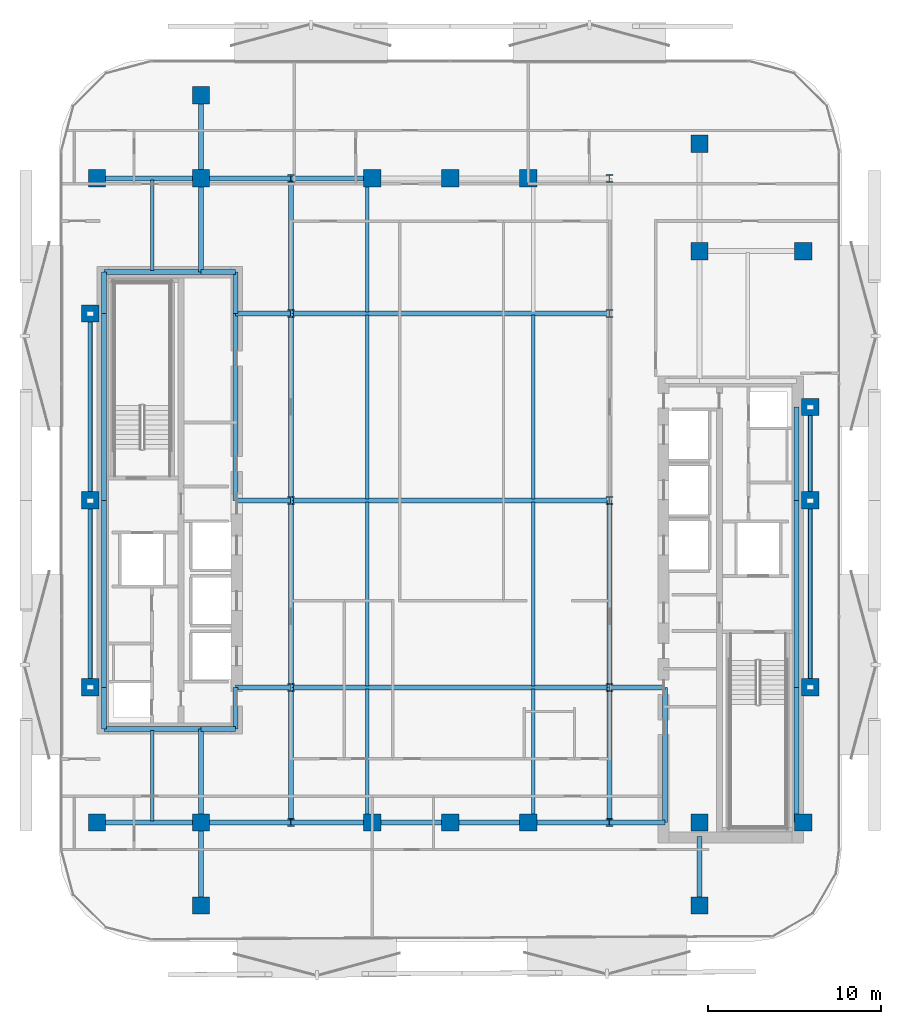
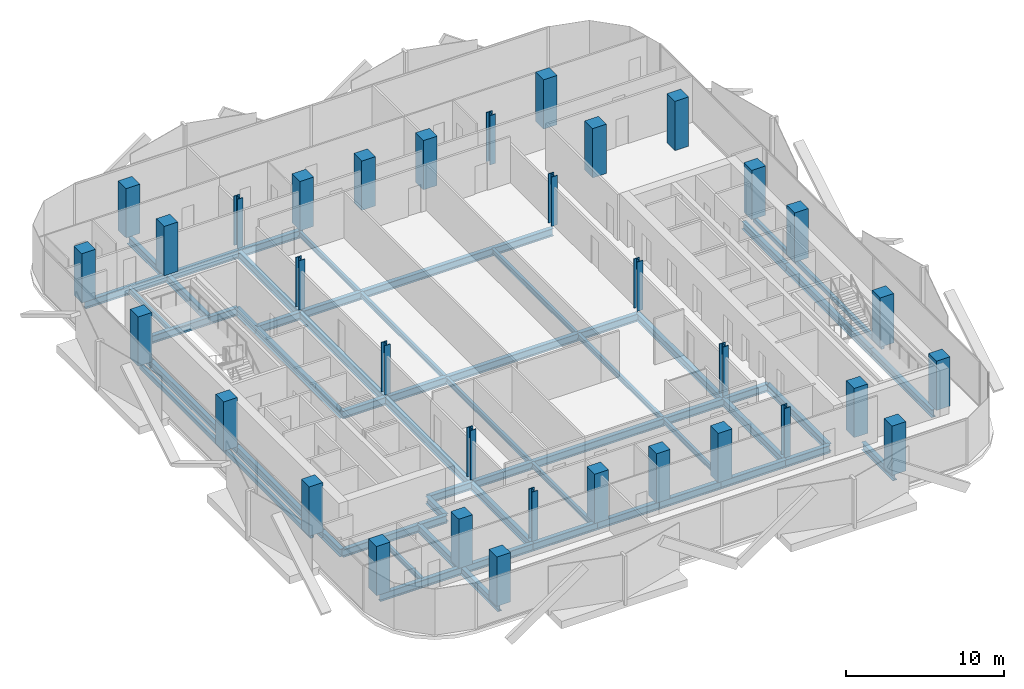
# One storey, part 1 of 16: 56 beams, 34 columns.
"""IFC4 building model written with IfcOpenShell, lengths in metres."""

from ifc_helpers import new_model, si_unit, direction, frame, origin, origin_2d, place, context, subcontext, project, spatial, rectangle, hollow_rectangle, i_section, extrude, material, material_profile, profile_set, type_object, element, save


model = new_model("IFC4")

# Units and contexts
model_context = context("Model", 3, precision=1e-05, world=origin(), true_north=direction((0.0, 1.0)))
body_context = subcontext(model_context, "Body", "Model", "MODEL_VIEW")
ifc_project = project(units=[si_unit("LENGTHUNIT", "METRE"), si_unit("AREAUNIT", "SQUARE_METRE"), si_unit("VOLUMEUNIT", "CUBIC_METRE"), si_unit("PLANEANGLEUNIT", "RADIAN"), si_unit("MASSUNIT", "GRAM", prefix="KILO")], contexts=[model_context])

# Site, building, storey
site_placement = place(None, origin())
site = spatial("IfcSite", under=ifc_project, at=site_placement, CompositionType="ELEMENT")
building_placement = place(site_placement, origin())
building = spatial("IfcBuilding", under=site, at=building_placement, Name="Khairoan Windgate Tower", CompositionType="ELEMENT")
storey_placement = place(building_placement, frame((0.0, 0.0, 184.0)))
storey = spatial("IfcBuildingStorey", under=building, at=storey_placement, Name="L42", CompositionType="ELEMENT", Elevation=184.0)

# Columns
ifc_material_1 = material(Name="Concrete C50/60", Category="concrete")
ifc_material_profile_1 = material_profile(ifc_material_1, rectangle(XDim=1.0, YDim=1.0, at=origin_2d()))
ifc_profile_set_1 = profile_set([ifc_material_profile_1], Name="Concrete C50/60")
column_type_1 = type_object("IfcColumnType", Name="Column C-T4 RC1000x1000", PredefinedType="COLUMN", material=ifc_profile_set_1)
for number, where, z_axis, x_axis, name in (
    (1, (-20.39990234375, -18.60009765625, 0.0), (0.0, 0.0, 1.0), (1.0, 0.0, 0.0), "Column L42-11"),
    (2, (-20.39990234375, 18.60009765625, 0.0), (0.0, 0.0, 1.0), (1.0, 0.0, 0.0), "Column L42-12"),
    (3, (20.39990234375, -18.60009765625, 0.0), (0.0, 0.0, 1.0), (1.0, 0.0, 0.0), "Column L42-13"),
    (4, (20.39990234375, 14.39990234375, 0.0), (0.0, 0.0, 1.0), (1.0, 0.0, 0.0), "Column L42-14"),
    (5, (-14.39990234375, -18.60009765625, 0.0), (0.0, 0.0, 1.0), (1.0, 0.0, 0.0), "Column L42-15"),
    (6, (-14.39990234375, 18.60009765625, 0.0), (0.0, 0.0, 1.0), (1.0, 0.0, 0.0), "Column L42-16"),
    (7, (14.39990234375, -18.60009765625, 0.0), (0.0, 0.0, 1.0), (1.0, 0.0, 0.0), "Column L42-17"),
    (8, (14.39990234375, 14.39990234375, 0.0), (0.0, 0.0, 1.0), (1.0, 0.0, 0.0), "Column L42-18"),
    (9, (-4.5, -18.60009765625, 0.0), (0.0, 0.0, 1.0), (1.0, 0.0, 0.0), "Column L42-19"),
    (10, (0.0, -18.60009765625, 0.0), (0.0, 0.0, 1.0), (1.0, 0.0, 0.0), "Column L42-20"),
    (11, (4.5, -18.60009765625, 0.0), (0.0, 0.0, 1.0), (1.0, 0.0, 0.0), "Column L42-21"),
    (12, (-4.5, 18.60009765625, 0.0), (0.0, 0.0, 1.0), (1.0, 0.0, 0.0), "Column L42-22"),
    (13, (0.0, 18.60009765625, 0.0), (0.0, 0.0, 1.0), (1.0, 0.0, 0.0), "Column L42-23"),
    (14, (4.5, 18.60009765625, 0.0), (0.0, 0.0, 1.0), (1.0, 0.0, 0.0), "Column L42-24"),
    (15, (-20.800048828125, -10.800048828125, 0.0), (0.0, 0.0, 1.0), (1.0, 0.0, 0.0), "Column L42-25"),
    (16, (-20.800048828125, 0.0, 0.0), (0.0, 0.0, 1.0), (1.0, 0.0, 0.0), "Column L42-26"),
    (17, (-20.800048828125, 10.800048828125, 0.0), (0.0, 0.0, 1.0), (1.0, 0.0, 0.0), "Column L42-27"),
    (18, (20.800048828125, -10.800048828125, 0.0), (0.0, 0.0, 1.0), (1.0, 0.0, 0.0), "Column L42-28"),
    (19, (20.800048828125, 0.0, 0.0), (0.0, 0.0, 1.0), (1.0, 0.0, 0.0), "Column L42-29"),
    (20, (20.800048828125, 5.39990234375, 0.0), (0.0, 0.0, 1.0), (1.0, 0.0, 0.0), "Column L42-30"),
    (21, (-14.39990234375, -23.39990234375, 0.0), (0.0, 0.0, 1.0), (1.0, 0.0, 0.0), "Column L42-31"),
    (22, (-14.39990234375, 23.39990234375, 0.0), (0.0, 0.0, 1.0), (1.0, 0.0, 0.0), "Column L42-32"),
    (23, (14.39990234375, -23.39990234375, 0.0), (0.0, 0.0, 1.0), (1.0, 0.0, 0.0), "Column L42-33"),
    (24, (14.39990234375, 20.60009765625, 0.0), (0.0, 0.0, 1.0), (1.0, 0.0, 0.0), "Column L42-34"),
):
    element("IfcColumn", number, at=place(storey_placement, frame(where, z_axis=z_axis, x_axis=x_axis)), inside=storey, type_object=column_type_1, Name=name, PredefinedType="COLUMN", context=body_context, shape_type="SweptSolid", body=[
        extrude(rectangle(XDim=1.0, YDim=1.0, at=origin_2d()), origin(), (0.0, 0.0, 1.0), 3.800048828125),
    ])
ifc_material_2 = material(Name="Steel S355", Category="steel")
ifc_material_profile_2 = material_profile(ifc_material_2, i_section(OverallWidth=0.4169921875, OverallDepth=0.4580078125, WebThickness=0.030029296875, FlangeThickness=0.050048828125, FilletRadius=0.02197265625, at=origin_2d()))
ifc_profile_set_2 = profile_set([ifc_material_profile_2], Name="Steel S355")
column_type_2 = type_object("IfcColumnType", Name="Steel Column SC2 H458x417x30x50", PredefinedType="COLUMN", material=ifc_profile_set_2)
for number, where, z_axis, x_axis, name in (
    (25, (-9.199951171875, -18.60009765625, 0.0), (0.0, 0.0, 1.0), (1.0, 0.0, 0.0), "Column L42-01"),
    (26, (-9.199951171875, -10.800048828125, 0.0), (0.0, 0.0, 1.0), (1.0, 0.0, 0.0), "Column L42-02"),
    (27, (-9.199951171875, 0.0, 0.0), (0.0, 0.0, 1.0), (1.0, 0.0, 0.0), "Column L42-03"),
    (28, (-9.199951171875, 10.800048828125, 0.0), (0.0, 0.0, 1.0), (1.0, 0.0, 0.0), "Column L42-04"),
    (29, (-9.199951171875, 18.60009765625, 0.0), (0.0, 0.0, 1.0), (1.0, 0.0, 0.0), "Column L42-05"),
    (30, (9.199951171875, -18.60009765625, 0.0), (0.0, 0.0, 1.0), (1.0, 0.0, 0.0), "Column L42-06"),
    (31, (9.199951171875, -10.800048828125, 0.0), (0.0, 0.0, 1.0), (1.0, 0.0, 0.0), "Column L42-07"),
    (32, (9.199951171875, 0.0, 0.0), (0.0, 0.0, 1.0), (1.0, 0.0, 0.0), "Column L42-08"),
    (33, (9.199951171875, 10.800048828125, 0.0), (0.0, 0.0, 1.0), (1.0, 0.0, 0.0), "Column L42-09"),
    (34, (9.199951171875, 18.60009765625, 0.0), (0.0, 0.0, 1.0), (1.0, 0.0, 0.0), "Column L42-10"),
):
    element("IfcColumn", number, at=place(storey_placement, frame(where, z_axis=z_axis, x_axis=x_axis)), inside=storey, type_object=column_type_2, Name=name, PredefinedType="COLUMN", context=body_context, shape_type="SweptSolid", body=[
        extrude(i_section(OverallWidth=0.4169921875, OverallDepth=0.4580078125, WebThickness=0.030029296875, FlangeThickness=0.050048828125, FilletRadius=0.02197265625, at=origin_2d()), origin(), (0.0, 0.0, 1.0), 3.800048828125),
    ])

# Beams
ifc_material_3 = material(Name="Steel S355", Category="steel")
ifc_material_profile_3 = material_profile(ifc_material_3, i_section(OverallWidth=0.300048828125, OverallDepth=0.587890625, WebThickness=0.011962890625, FlangeThickness=0.02001953125, FilletRadius=0.02392578125, at=origin_2d()))
ifc_profile_set_3 = profile_set([ifc_material_profile_3], Name="Steel S355")
beam_type_1 = type_object("IfcBeamType", Name="Beam B-G4 H588x300x12x20", PredefinedType="BEAM", material=ifc_profile_set_3)
beam_1_placement = place(storey_placement, frame((-20.39990234375, -18.60009765625, -0.553955078125), z_axis=(1.0, 0.0, 0.0), x_axis=(0.0, 1.0, 0.0)))
element("IfcBeam", 35, at=beam_1_placement, inside=storey, type_object=beam_type_1, Name="L42 E-W Primary Girder 01", PredefinedType="BEAM", context=body_context, shape_type="SweptSolid", body=[
    extrude(i_section(OverallWidth=0.300048828125, OverallDepth=0.587890625, WebThickness=0.011962890625, FlangeThickness=0.02001953125, FilletRadius=0.02392578125, at=origin_2d()), origin(), (0.0, 0.0, 1.0), 6.0),
])
beam_2_placement = place(storey_placement, frame((-14.39990234375, -18.60009765625, -0.553955078125), z_axis=(1.0, 0.0, 0.0), x_axis=(0.0, 1.0, 0.0)))
element("IfcBeam", 36, at=beam_2_placement, inside=storey, type_object=beam_type_1, Name="L42 E-W Primary Girder 02", PredefinedType="BEAM", context=body_context, shape_type="SweptSolid", body=[
    extrude(i_section(OverallWidth=0.300048828125, OverallDepth=0.587890625, WebThickness=0.011962890625, FlangeThickness=0.02001953125, FilletRadius=0.02392578125, at=origin_2d()), origin(), (0.0, 0.0, 1.0), 5.199951171875),
])
beam_3_placement = place(storey_placement, frame((-9.199951171875, -18.60009765625, -0.553955078125), z_axis=(1.0, 0.0, 0.0), x_axis=(0.0, 1.0, 0.0)))
element("IfcBeam", 37, at=beam_3_placement, inside=storey, type_object=beam_type_1, Name="L42 E-W Primary Girder 03", PredefinedType="BEAM", context=body_context, shape_type="SweptSolid", body=[
    extrude(i_section(OverallWidth=0.300048828125, OverallDepth=0.587890625, WebThickness=0.011962890625, FlangeThickness=0.02001953125, FilletRadius=0.02392578125, at=origin_2d()), origin(), (0.0, 0.0, 1.0), 4.699951171875),
])
for number, where, z_axis, x_axis, name in (
    (38, (-4.5, -18.60009765625, -0.553955078125), (1.0, 0.0, 0.0), (0.0, 1.0, 0.0), "L42 E-W Primary Girder 04"),
    (39, (0.0, -18.60009765625, -0.553955078125), (1.0, 0.0, 0.0), (0.0, 1.0, 0.0), "L42 E-W Primary Girder 05"),
):
    element("IfcBeam", number, at=place(storey_placement, frame(where, z_axis=z_axis, x_axis=x_axis)), inside=storey, type_object=beam_type_1, Name=name, PredefinedType="BEAM", context=body_context, shape_type="SweptSolid", body=[
        extrude(i_section(OverallWidth=0.300048828125, OverallDepth=0.587890625, WebThickness=0.011962890625, FlangeThickness=0.02001953125, FilletRadius=0.02392578125, at=origin_2d()), origin(), (0.0, 0.0, 1.0), 4.5),
    ])
beam_4_placement = place(storey_placement, frame((4.5, -18.60009765625, -0.553955078125), z_axis=(1.0, 0.0, 0.0), x_axis=(0.0, 1.0, 0.0)))
element("IfcBeam", 40, at=beam_4_placement, inside=storey, type_object=beam_type_1, Name="L42 E-W Primary Girder 06", PredefinedType="BEAM", context=body_context, shape_type="SweptSolid", body=[
    extrude(i_section(OverallWidth=0.300048828125, OverallDepth=0.587890625, WebThickness=0.011962890625, FlangeThickness=0.02001953125, FilletRadius=0.02392578125, at=origin_2d()), origin(), (0.0, 0.0, 1.0), 4.699951171875),
])
beam_5_placement = place(storey_placement, frame((9.199951171875, -18.60009765625, -0.553955078125), z_axis=(1.0, 0.0, 0.0), x_axis=(0.0, 1.0, 0.0)))
element("IfcBeam", 41, at=beam_5_placement, inside=storey, type_object=beam_type_1, Name="L42 E-W Primary Girder 07", PredefinedType="BEAM", context=body_context, shape_type="SweptSolid", body=[
    extrude(i_section(OverallWidth=0.300048828125, OverallDepth=0.587890625, WebThickness=0.011962890625, FlangeThickness=0.02001953125, FilletRadius=0.02392578125, at=origin_2d()), origin(), (0.0, 0.0, 1.0), 3.199951171875),
])
beam_6_placement = place(storey_placement, frame((-20.0, -13.199951171875, -0.553955078125), z_axis=(1.0, 0.0, 0.0), x_axis=(0.0, 1.0, 0.0)))
element("IfcBeam", 42, at=beam_6_placement, inside=storey, type_object=beam_type_1, Name="L42 E-W Primary Girder 08", PredefinedType="BEAM", context=body_context, shape_type="SweptSolid", body=[
    extrude(i_section(OverallWidth=0.300048828125, OverallDepth=0.587890625, WebThickness=0.011962890625, FlangeThickness=0.02001953125, FilletRadius=0.02392578125, at=origin_2d()), origin(), (0.0, 0.0, 1.0), 5.60009765625),
])
beam_7_placement = place(storey_placement, frame((-14.39990234375, -13.199951171875, -0.553955078125), z_axis=(1.0, 0.0, 0.0), x_axis=(0.0, 1.0, 0.0)))
element("IfcBeam", 43, at=beam_7_placement, inside=storey, type_object=beam_type_1, Name="L42 E-W Primary Girder 09", PredefinedType="BEAM", context=body_context, shape_type="SweptSolid", body=[
    extrude(i_section(OverallWidth=0.300048828125, OverallDepth=0.587890625, WebThickness=0.011962890625, FlangeThickness=0.02001953125, FilletRadius=0.02392578125, at=origin_2d()), origin(), (0.0, 0.0, 1.0), 2.0),
])
beam_8_placement = place(storey_placement, frame((-12.39990234375, -10.800048828125, -0.553955078125), z_axis=(1.0, 0.0, 0.0), x_axis=(0.0, 1.0, 0.0)))
element("IfcBeam", 44, at=beam_8_placement, inside=storey, type_object=beam_type_1, Name="L42 E-W Primary Girder 10", PredefinedType="BEAM", context=body_context, shape_type="SweptSolid", body=[
    extrude(i_section(OverallWidth=0.300048828125, OverallDepth=0.587890625, WebThickness=0.011962890625, FlangeThickness=0.02001953125, FilletRadius=0.02392578125, at=origin_2d()), origin(), (0.0, 0.0, 1.0), 3.199951171875),
])
beam_9_placement = place(storey_placement, frame((-9.199951171875, -10.800048828125, -0.553955078125), z_axis=(1.0, 0.0, 0.0), x_axis=(0.0, 1.0, 0.0)))
element("IfcBeam", 45, at=beam_9_placement, inside=storey, type_object=beam_type_1, Name="L42 E-W Primary Girder 11", PredefinedType="BEAM", context=body_context, shape_type="SweptSolid", body=[
    extrude(i_section(OverallWidth=0.300048828125, OverallDepth=0.587890625, WebThickness=0.011962890625, FlangeThickness=0.02001953125, FilletRadius=0.02392578125, at=origin_2d()), origin(), (0.0, 0.0, 1.0), 18.39990234375),
])
for number, where, z_axis, x_axis, name in (
    (46, (9.199951171875, -10.800048828125, -0.553955078125), (1.0, 0.0, 0.0), (0.0, 1.0, 0.0), "L42 E-W Primary Girder 12"),
    (47, (-12.39990234375, 0.0, -0.553955078125), (1.0, 0.0, 0.0), (0.0, 1.0, 0.0), "L42 E-W Primary Girder 13"),
):
    element("IfcBeam", number, at=place(storey_placement, frame(where, z_axis=z_axis, x_axis=x_axis)), inside=storey, type_object=beam_type_1, Name=name, PredefinedType="BEAM", context=body_context, shape_type="SweptSolid", body=[
        extrude(i_section(OverallWidth=0.300048828125, OverallDepth=0.587890625, WebThickness=0.011962890625, FlangeThickness=0.02001953125, FilletRadius=0.02392578125, at=origin_2d()), origin(), (0.0, 0.0, 1.0), 3.199951171875),
    ])
beam_10_placement = place(storey_placement, frame((-9.199951171875, 0.0, -0.553955078125), z_axis=(1.0, 0.0, 0.0), x_axis=(0.0, 1.0, 0.0)))
element("IfcBeam", 48, at=beam_10_placement, inside=storey, type_object=beam_type_1, Name="L42 E-W Primary Girder 14", PredefinedType="BEAM", context=body_context, shape_type="SweptSolid", body=[
    extrude(i_section(OverallWidth=0.300048828125, OverallDepth=0.587890625, WebThickness=0.011962890625, FlangeThickness=0.02001953125, FilletRadius=0.02392578125, at=origin_2d()), origin(), (0.0, 0.0, 1.0), 18.39990234375),
])
beam_11_placement = place(storey_placement, frame((-12.39990234375, 10.800048828125, -0.553955078125), z_axis=(1.0, 0.0, 0.0), x_axis=(0.0, 1.0, 0.0)))
element("IfcBeam", 49, at=beam_11_placement, inside=storey, type_object=beam_type_1, Name="L42 E-W Primary Girder 17", PredefinedType="BEAM", context=body_context, shape_type="SweptSolid", body=[
    extrude(i_section(OverallWidth=0.300048828125, OverallDepth=0.587890625, WebThickness=0.011962890625, FlangeThickness=0.02001953125, FilletRadius=0.02392578125, at=origin_2d()), origin(), (0.0, 0.0, 1.0), 3.199951171875),
])
beam_12_placement = place(storey_placement, frame((-9.199951171875, 10.800048828125, -0.553955078125), z_axis=(1.0, 0.0, 0.0), x_axis=(0.0, 1.0, 0.0)))
element("IfcBeam", 50, at=beam_12_placement, inside=storey, type_object=beam_type_1, Name="L42 E-W Primary Girder 18", PredefinedType="BEAM", context=body_context, shape_type="SweptSolid", body=[
    extrude(i_section(OverallWidth=0.300048828125, OverallDepth=0.587890625, WebThickness=0.011962890625, FlangeThickness=0.02001953125, FilletRadius=0.02392578125, at=origin_2d()), origin(), (0.0, 0.0, 1.0), 18.39990234375),
])
beam_13_placement = place(storey_placement, frame((-20.0, 13.199951171875, -0.553955078125), z_axis=(1.0, 0.0, 0.0), x_axis=(0.0, 1.0, 0.0)))
element("IfcBeam", 51, at=beam_13_placement, inside=storey, type_object=beam_type_1, Name="L42 E-W Primary Girder 19", PredefinedType="BEAM", context=body_context, shape_type="SweptSolid", body=[
    extrude(i_section(OverallWidth=0.300048828125, OverallDepth=0.587890625, WebThickness=0.011962890625, FlangeThickness=0.02001953125, FilletRadius=0.02392578125, at=origin_2d()), origin(), (0.0, 0.0, 1.0), 5.60009765625),
])
beam_14_placement = place(storey_placement, frame((-14.39990234375, 13.199951171875, -0.553955078125), z_axis=(1.0, 0.0, 0.0), x_axis=(0.0, 1.0, 0.0)))
element("IfcBeam", 52, at=beam_14_placement, inside=storey, type_object=beam_type_1, Name="L42 E-W Primary Girder 20", PredefinedType="BEAM", context=body_context, shape_type="SweptSolid", body=[
    extrude(i_section(OverallWidth=0.300048828125, OverallDepth=0.587890625, WebThickness=0.011962890625, FlangeThickness=0.02001953125, FilletRadius=0.02392578125, at=origin_2d()), origin(), (0.0, 0.0, 1.0), 2.0),
])
beam_15_placement = place(storey_placement, frame((-20.39990234375, 18.60009765625, -0.553955078125), z_axis=(1.0, 0.0, 0.0), x_axis=(0.0, 1.0, 0.0)))
element("IfcBeam", 53, at=beam_15_placement, inside=storey, type_object=beam_type_1, Name="L42 E-W Primary Girder 22", PredefinedType="BEAM", context=body_context, shape_type="SweptSolid", body=[
    extrude(i_section(OverallWidth=0.300048828125, OverallDepth=0.587890625, WebThickness=0.011962890625, FlangeThickness=0.02001953125, FilletRadius=0.02392578125, at=origin_2d()), origin(), (0.0, 0.0, 1.0), 6.0),
])
beam_16_placement = place(storey_placement, frame((-14.39990234375, 18.60009765625, -0.553955078125), z_axis=(1.0, 0.0, 0.0), x_axis=(0.0, 1.0, 0.0)))
element("IfcBeam", 54, at=beam_16_placement, inside=storey, type_object=beam_type_1, Name="L42 E-W Primary Girder 23", PredefinedType="BEAM", context=body_context, shape_type="SweptSolid", body=[
    extrude(i_section(OverallWidth=0.300048828125, OverallDepth=0.587890625, WebThickness=0.011962890625, FlangeThickness=0.02001953125, FilletRadius=0.02392578125, at=origin_2d()), origin(), (0.0, 0.0, 1.0), 5.199951171875),
])
beam_17_placement = place(storey_placement, frame((-9.199951171875, 18.60009765625, -0.553955078125), z_axis=(1.0, 0.0, 0.0), x_axis=(0.0, 1.0, 0.0)))
element("IfcBeam", 55, at=beam_17_placement, inside=storey, type_object=beam_type_1, Name="L42 E-W Primary Girder 24", PredefinedType="BEAM", context=body_context, shape_type="SweptSolid", body=[
    extrude(i_section(OverallWidth=0.300048828125, OverallDepth=0.587890625, WebThickness=0.011962890625, FlangeThickness=0.02001953125, FilletRadius=0.02392578125, at=origin_2d()), origin(), (0.0, 0.0, 1.0), 4.699951171875),
])
beam_18_placement = place(storey_placement, frame((-20.0, -13.199951171875, -0.553955078125), z_axis=(0.0, 1.0, 0.0), x_axis=(-1.0, 0.0, 0.0)))
element("IfcBeam", 56, at=beam_18_placement, inside=storey, type_object=beam_type_1, Name="L42 N-S Primary Beam 30", PredefinedType="BEAM", context=body_context, shape_type="SweptSolid", body=[
    extrude(i_section(OverallWidth=0.300048828125, OverallDepth=0.587890625, WebThickness=0.011962890625, FlangeThickness=0.02001953125, FilletRadius=0.02392578125, at=origin_2d()), origin(), (0.0, 0.0, 1.0), 2.39990234375),
])
for number, where, z_axis, x_axis, name in (
    (57, (-20.0, -10.800048828125, -0.553955078125), (0.0, 1.0, 0.0), (-1.0, 0.0, 0.0), "L42 N-S Primary Beam 31"),
    (58, (-20.0, 0.0, -0.553955078125), (0.0, 1.0, 0.0), (-1.0, 0.0, 0.0), "L42 N-S Primary Beam 32"),
):
    element("IfcBeam", number, at=place(storey_placement, frame(where, z_axis=z_axis, x_axis=x_axis)), inside=storey, type_object=beam_type_1, Name=name, PredefinedType="BEAM", context=body_context, shape_type="SweptSolid", body=[
        extrude(i_section(OverallWidth=0.300048828125, OverallDepth=0.587890625, WebThickness=0.011962890625, FlangeThickness=0.02001953125, FilletRadius=0.02392578125, at=origin_2d()), origin(), (0.0, 0.0, 1.0), 10.800048828125),
    ])
beam_19_placement = place(storey_placement, frame((-20.0, 10.800048828125, -0.553955078125), z_axis=(0.0, 1.0, 0.0), x_axis=(-1.0, 0.0, 0.0)))
element("IfcBeam", 59, at=beam_19_placement, inside=storey, type_object=beam_type_1, Name="L42 N-S Primary Beam 33", PredefinedType="BEAM", context=body_context, shape_type="SweptSolid", body=[
    extrude(i_section(OverallWidth=0.300048828125, OverallDepth=0.587890625, WebThickness=0.011962890625, FlangeThickness=0.02001953125, FilletRadius=0.02392578125, at=origin_2d()), origin(), (0.0, 0.0, 1.0), 2.39990234375),
])
beam_20_placement = place(storey_placement, frame((-14.39990234375, -23.39990234375, -0.553955078125), z_axis=(0.0, 1.0, 0.0), x_axis=(-1.0, 0.0, 0.0)))
element("IfcBeam", 60, at=beam_20_placement, inside=storey, type_object=beam_type_1, Name="L42 N-S Primary Beam 34", PredefinedType="BEAM", context=body_context, shape_type="SweptSolid", body=[
    extrude(i_section(OverallWidth=0.300048828125, OverallDepth=0.587890625, WebThickness=0.011962890625, FlangeThickness=0.02001953125, FilletRadius=0.02392578125, at=origin_2d()), origin(), (0.0, 0.0, 1.0), 4.7998046875),
])
for number, where, z_axis, x_axis, name in (
    (61, (-14.39990234375, -18.60009765625, -0.553955078125), (0.0, 1.0, 0.0), (-1.0, 0.0, 0.0), "L42 N-S Primary Beam 35"),
    (62, (-14.39990234375, 13.199951171875, -0.553955078125), (0.0, 1.0, 0.0), (-1.0, 0.0, 0.0), "L42 N-S Primary Beam 36"),
):
    element("IfcBeam", number, at=place(storey_placement, frame(where, z_axis=z_axis, x_axis=x_axis)), inside=storey, type_object=beam_type_1, Name=name, PredefinedType="BEAM", context=body_context, shape_type="SweptSolid", body=[
        extrude(i_section(OverallWidth=0.300048828125, OverallDepth=0.587890625, WebThickness=0.011962890625, FlangeThickness=0.02001953125, FilletRadius=0.02392578125, at=origin_2d()), origin(), (0.0, 0.0, 1.0), 5.400146484375),
    ])
beam_21_placement = place(storey_placement, frame((-14.39990234375, 18.60009765625, -0.553955078125), z_axis=(0.0, 1.0, 0.0), x_axis=(-1.0, 0.0, 0.0)))
element("IfcBeam", 63, at=beam_21_placement, inside=storey, type_object=beam_type_1, Name="L42 N-S Primary Beam 37", PredefinedType="BEAM", context=body_context, shape_type="SweptSolid", body=[
    extrude(i_section(OverallWidth=0.300048828125, OverallDepth=0.587890625, WebThickness=0.011962890625, FlangeThickness=0.02001953125, FilletRadius=0.02392578125, at=origin_2d()), origin(), (0.0, 0.0, 1.0), 4.7998046875),
])
beam_22_placement = place(storey_placement, frame((-12.39990234375, -13.199951171875, -0.553955078125), z_axis=(0.0, 1.0, 0.0), x_axis=(-1.0, 0.0, 0.0)))
element("IfcBeam", 64, at=beam_22_placement, inside=storey, type_object=beam_type_1, Name="L42 N-S Primary Beam 38", PredefinedType="BEAM", context=body_context, shape_type="SweptSolid", body=[
    extrude(i_section(OverallWidth=0.300048828125, OverallDepth=0.587890625, WebThickness=0.011962890625, FlangeThickness=0.02001953125, FilletRadius=0.02392578125, at=origin_2d()), origin(), (0.0, 0.0, 1.0), 2.39990234375),
])
beam_23_placement = place(storey_placement, frame((-12.39990234375, 0.0, -0.553955078125), z_axis=(0.0, 1.0, 0.0), x_axis=(-1.0, 0.0, 0.0)))
element("IfcBeam", 65, at=beam_23_placement, inside=storey, type_object=beam_type_1, Name="L42 N-S Primary Beam 39", PredefinedType="BEAM", context=body_context, shape_type="SweptSolid", body=[
    extrude(i_section(OverallWidth=0.300048828125, OverallDepth=0.587890625, WebThickness=0.011962890625, FlangeThickness=0.02001953125, FilletRadius=0.02392578125, at=origin_2d()), origin(), (0.0, 0.0, 1.0), 10.800048828125),
])
beam_24_placement = place(storey_placement, frame((-12.39990234375, 10.800048828125, -0.553955078125), z_axis=(0.0, 1.0, 0.0), x_axis=(-1.0, 0.0, 0.0)))
element("IfcBeam", 66, at=beam_24_placement, inside=storey, type_object=beam_type_1, Name="L42 N-S Primary Beam 40", PredefinedType="BEAM", context=body_context, shape_type="SweptSolid", body=[
    extrude(i_section(OverallWidth=0.300048828125, OverallDepth=0.587890625, WebThickness=0.011962890625, FlangeThickness=0.02001953125, FilletRadius=0.02392578125, at=origin_2d()), origin(), (0.0, 0.0, 1.0), 2.39990234375),
])
beam_25_placement = place(storey_placement, frame((-9.199951171875, -18.60009765625, -0.553955078125), z_axis=(0.0, 1.0, 0.0), x_axis=(-1.0, 0.0, 0.0)))
element("IfcBeam", 67, at=beam_25_placement, inside=storey, type_object=beam_type_1, Name="L42 N-S Primary Beam 41", PredefinedType="BEAM", context=body_context, shape_type="SweptSolid", body=[
    extrude(i_section(OverallWidth=0.300048828125, OverallDepth=0.587890625, WebThickness=0.011962890625, FlangeThickness=0.02001953125, FilletRadius=0.02392578125, at=origin_2d()), origin(), (0.0, 0.0, 1.0), 7.800048828125),
])
for number, where, z_axis, x_axis, name in (
    (68, (-9.199951171875, -10.800048828125, -0.553955078125), (0.0, 1.0, 0.0), (-1.0, 0.0, 0.0), "L42 N-S Primary Beam 42"),
    (69, (-9.199951171875, 0.0, -0.553955078125), (0.0, 1.0, 0.0), (-1.0, 0.0, 0.0), "L42 N-S Primary Beam 43"),
):
    element("IfcBeam", number, at=place(storey_placement, frame(where, z_axis=z_axis, x_axis=x_axis)), inside=storey, type_object=beam_type_1, Name=name, PredefinedType="BEAM", context=body_context, shape_type="SweptSolid", body=[
        extrude(i_section(OverallWidth=0.300048828125, OverallDepth=0.587890625, WebThickness=0.011962890625, FlangeThickness=0.02001953125, FilletRadius=0.02392578125, at=origin_2d()), origin(), (0.0, 0.0, 1.0), 10.800048828125),
    ])
for number, where, z_axis, x_axis, name in (
    (70, (-9.199951171875, 10.800048828125, -0.553955078125), (0.0, 1.0, 0.0), (-1.0, 0.0, 0.0), "L42 N-S Primary Beam 44"),
    (71, (9.199951171875, -18.60009765625, -0.553955078125), (0.0, 1.0, 0.0), (-1.0, 0.0, 0.0), "L42 N-S Primary Beam 45"),
):
    element("IfcBeam", number, at=place(storey_placement, frame(where, z_axis=z_axis, x_axis=x_axis)), inside=storey, type_object=beam_type_1, Name=name, PredefinedType="BEAM", context=body_context, shape_type="SweptSolid", body=[
        extrude(i_section(OverallWidth=0.300048828125, OverallDepth=0.587890625, WebThickness=0.011962890625, FlangeThickness=0.02001953125, FilletRadius=0.02392578125, at=origin_2d()), origin(), (0.0, 0.0, 1.0), 7.800048828125),
    ])
beam_26_placement = place(storey_placement, frame((9.199951171875, -10.800048828125, -0.553955078125), z_axis=(0.0, 1.0, 0.0), x_axis=(-1.0, 0.0, 0.0)))
element("IfcBeam", 72, at=beam_26_placement, inside=storey, type_object=beam_type_1, Name="L42 N-S Primary Beam 46", PredefinedType="BEAM", context=body_context, shape_type="SweptSolid", body=[
    extrude(i_section(OverallWidth=0.300048828125, OverallDepth=0.587890625, WebThickness=0.011962890625, FlangeThickness=0.02001953125, FilletRadius=0.02392578125, at=origin_2d()), origin(), (0.0, 0.0, 1.0), 10.800048828125),
])
beam_27_placement = place(storey_placement, frame((12.39990234375, -18.60009765625, -0.553955078125), z_axis=(0.0, 1.0, 0.0), x_axis=(-1.0, 0.0, 0.0)))
element("IfcBeam", 73, at=beam_27_placement, inside=storey, type_object=beam_type_1, Name="L42 N-S Primary Beam 49", PredefinedType="BEAM", context=body_context, shape_type="SweptSolid", body=[
    extrude(i_section(OverallWidth=0.300048828125, OverallDepth=0.587890625, WebThickness=0.011962890625, FlangeThickness=0.02001953125, FilletRadius=0.02392578125, at=origin_2d()), origin(), (0.0, 0.0, 1.0), 7.800048828125),
])
beam_28_placement = place(storey_placement, frame((14.39990234375, -23.39990234375, -0.553955078125), z_axis=(0.0, 1.0, 0.0), x_axis=(-1.0, 0.0, 0.0)))
element("IfcBeam", 74, at=beam_28_placement, inside=storey, type_object=beam_type_1, Name="L42 N-S Primary Beam 50", PredefinedType="BEAM", context=body_context, shape_type="SweptSolid", body=[
    extrude(i_section(OverallWidth=0.300048828125, OverallDepth=0.587890625, WebThickness=0.011962890625, FlangeThickness=0.02001953125, FilletRadius=0.02392578125, at=origin_2d()), origin(), (0.0, 0.0, 1.0), 4.0),
])
beam_29_placement = place(storey_placement, frame((20.0, -18.60009765625, -0.553955078125), z_axis=(0.0, 1.0, 0.0), x_axis=(-1.0, 0.0, 0.0)))
element("IfcBeam", 75, at=beam_29_placement, inside=storey, type_object=beam_type_1, Name="L42 N-S Primary Beam 53", PredefinedType="BEAM", context=body_context, shape_type="SweptSolid", body=[
    extrude(i_section(OverallWidth=0.300048828125, OverallDepth=0.587890625, WebThickness=0.011962890625, FlangeThickness=0.02001953125, FilletRadius=0.02392578125, at=origin_2d()), origin(), (0.0, 0.0, 1.0), 7.800048828125),
])
beam_30_placement = place(storey_placement, frame((20.0, -10.800048828125, -0.553955078125), z_axis=(0.0, 1.0, 0.0), x_axis=(-1.0, 0.0, 0.0)))
element("IfcBeam", 76, at=beam_30_placement, inside=storey, type_object=beam_type_1, Name="L42 N-S Primary Beam 54", PredefinedType="BEAM", context=body_context, shape_type="SweptSolid", body=[
    extrude(i_section(OverallWidth=0.300048828125, OverallDepth=0.587890625, WebThickness=0.011962890625, FlangeThickness=0.02001953125, FilletRadius=0.02392578125, at=origin_2d()), origin(), (0.0, 0.0, 1.0), 10.800048828125),
])
beam_31_placement = place(storey_placement, frame((20.0, 0.0, -0.553955078125), z_axis=(0.0, 1.0, 0.0), x_axis=(-1.0, 0.0, 0.0)))
element("IfcBeam", 77, at=beam_31_placement, inside=storey, type_object=beam_type_1, Name="L42 N-S Primary Beam 55", PredefinedType="BEAM", context=body_context, shape_type="SweptSolid", body=[
    extrude(i_section(OverallWidth=0.300048828125, OverallDepth=0.587890625, WebThickness=0.011962890625, FlangeThickness=0.02001953125, FilletRadius=0.02392578125, at=origin_2d()), origin(), (0.0, 0.0, 1.0), 5.39990234375),
])
ifc_material_4 = material(Name="Steel S355", Category="steel")
ifc_material_profile_4 = material_profile(ifc_material_4, i_section(OverallWidth=0.199951171875, OverallDepth=0.39990234375, WebThickness=0.008056640625, FlangeThickness=0.012939453125, FilletRadius=0.01611328125, at=origin_2d()))
ifc_profile_set_4 = profile_set([ifc_material_profile_4], Name="Steel S355")
beam_type_2 = type_object("IfcBeamType", Name="Beam J-S4 H400x200x8x13", PredefinedType="JOIST", material=ifc_profile_set_4)
for number, where, z_axis, x_axis, name in (
    (78, (-17.199951171875, -18.510009765625, -0.4599609375), (0.0, 1.0, 0.0), (-1.0, 0.0, 0.0), "L42 Secondary Floor Joist 01"),
    (79, (-17.199951171875, 13.2900390625, -0.4599609375), (0.0, 1.0, 0.0), (-1.0, 0.0, 0.0), "L42 Secondary Floor Joist 02"),
):
    element("IfcBeam", number, at=place(storey_placement, frame(where, z_axis=z_axis, x_axis=x_axis)), inside=storey, type_object=beam_type_2, Name=name, PredefinedType="JOIST", context=body_context, shape_type="SweptSolid", body=[
        extrude(i_section(OverallWidth=0.199951171875, OverallDepth=0.39990234375, WebThickness=0.008056640625, FlangeThickness=0.012939453125, FilletRadius=0.01611328125, at=origin_2d()), origin(), (0.0, 0.0, 1.0), 5.219970703125),
    ])
beam_32_placement = place(storey_placement, frame((-4.800048828125, -18.510009765625, -0.4599609375), z_axis=(0.0, 1.0, 0.0), x_axis=(-1.0, 0.0, 0.0)))
element("IfcBeam", 80, at=beam_32_placement, inside=storey, type_object=beam_type_2, Name="L42 Secondary Floor Joist 03", PredefinedType="JOIST", context=body_context, shape_type="SweptSolid", body=[
    extrude(i_section(OverallWidth=0.199951171875, OverallDepth=0.39990234375, WebThickness=0.008056640625, FlangeThickness=0.012939453125, FilletRadius=0.01611328125, at=origin_2d()), origin(), (0.0, 0.0, 1.0), 7.6201171875),
])
for number, where, z_axis, x_axis, name in (
    (81, (-4.800048828125, -10.7099609375, -0.4599609375), (0.0, 1.0, 0.0), (-1.0, 0.0, 0.0), "L42 Secondary Floor Joist 04"),
    (82, (-4.800048828125, 0.090087890625, -0.4599609375), (0.0, 1.0, 0.0), (-1.0, 0.0, 0.0), "L42 Secondary Floor Joist 05"),
):
    element("IfcBeam", number, at=place(storey_placement, frame(where, z_axis=z_axis, x_axis=x_axis)), inside=storey, type_object=beam_type_2, Name=name, PredefinedType="JOIST", context=body_context, shape_type="SweptSolid", body=[
        extrude(i_section(OverallWidth=0.199951171875, OverallDepth=0.39990234375, WebThickness=0.008056640625, FlangeThickness=0.012939453125, FilletRadius=0.01611328125, at=origin_2d()), origin(), (0.0, 0.0, 1.0), 10.619873046875),
    ])
for number, where, z_axis, x_axis, name in (
    (83, (-4.800048828125, 10.889892578125, -0.4599609375), (0.0, 1.0, 0.0), (-1.0, 0.0, 0.0), "L42 Secondary Floor Joist 06"),
    (84, (4.800048828125, -18.510009765625, -0.4599609375), (0.0, 1.0, 0.0), (-1.0, 0.0, 0.0), "L42 Secondary Floor Joist 07"),
):
    element("IfcBeam", number, at=place(storey_placement, frame(where, z_axis=z_axis, x_axis=x_axis)), inside=storey, type_object=beam_type_2, Name=name, PredefinedType="JOIST", context=body_context, shape_type="SweptSolid", body=[
        extrude(i_section(OverallWidth=0.199951171875, OverallDepth=0.39990234375, WebThickness=0.008056640625, FlangeThickness=0.012939453125, FilletRadius=0.01611328125, at=origin_2d()), origin(), (0.0, 0.0, 1.0), 7.6201171875),
    ])
for number, where, z_axis, x_axis, name in (
    (85, (4.800048828125, -10.7099609375, -0.4599609375), (0.0, 1.0, 0.0), (-1.0, 0.0, 0.0), "L42 Secondary Floor Joist 08"),
    (86, (4.800048828125, 0.090087890625, -0.4599609375), (0.0, 1.0, 0.0), (-1.0, 0.0, 0.0), "L42 Secondary Floor Joist 09"),
):
    element("IfcBeam", number, at=place(storey_placement, frame(where, z_axis=z_axis, x_axis=x_axis)), inside=storey, type_object=beam_type_2, Name=name, PredefinedType="JOIST", context=body_context, shape_type="SweptSolid", body=[
        extrude(i_section(OverallWidth=0.199951171875, OverallDepth=0.39990234375, WebThickness=0.008056640625, FlangeThickness=0.012939453125, FilletRadius=0.01611328125, at=origin_2d()), origin(), (0.0, 0.0, 1.0), 10.619873046875),
    ])
ifc_material_5 = material(Name="Steel S355", Category="steel")
ifc_material_profile_5 = material_profile(ifc_material_5, hollow_rectangle(XDim=0.25, YDim=0.35009765625, WallThickness=0.012451171875, InnerFilletRadius=0.012451171875, OuterFilletRadius=0.02490234375, at=origin_2d()))
ifc_profile_set_5 = profile_set([ifc_material_profile_5], Name="Steel S355")
beam_type_3 = type_object("IfcBeamType", Name="Beam SP-B2 RHS350x250x12.5", PredefinedType="SPANDREL", material=ifc_profile_set_5)
for number, where, z_axis, x_axis, name in (
    (87, (-20.800048828125, -10.800048828125, -0.43505859375), (0.0, 1.0, 0.0), (-1.0, 0.0, 0.0), "L42 Spandrel Beam 28"),
    (88, (-20.800048828125, 0.0, -0.43505859375), (0.0, 1.0, 0.0), (-1.0, 0.0, 0.0), "L42 Spandrel Beam 29"),
    (89, (20.800048828125, -10.800048828125, -0.43505859375), (0.0, 1.0, 0.0), (-1.0, 0.0, 0.0), "L42 Spandrel Beam 56"),
):
    element("IfcBeam", number, at=place(storey_placement, frame(where, z_axis=z_axis, x_axis=x_axis)), inside=storey, type_object=beam_type_3, Name=name, PredefinedType="SPANDREL", context=body_context, shape_type="SweptSolid", body=[
        extrude(hollow_rectangle(XDim=0.25, YDim=0.35009765625, WallThickness=0.012451171875, InnerFilletRadius=0.012451171875, OuterFilletRadius=0.02490234375, at=origin_2d()), origin(), (0.0, 0.0, 1.0), 10.800048828125),
    ])
beam_33_placement = place(storey_placement, frame((20.800048828125, 0.0, -0.43505859375), z_axis=(0.0, 1.0, 0.0), x_axis=(-1.0, 0.0, 0.0)))
element("IfcBeam", 90, at=beam_33_placement, inside=storey, type_object=beam_type_3, Name="L42 Spandrel Beam 57", PredefinedType="SPANDREL", context=body_context, shape_type="SweptSolid", body=[
    extrude(hollow_rectangle(XDim=0.25, YDim=0.35009765625, WallThickness=0.012451171875, InnerFilletRadius=0.012451171875, OuterFilletRadius=0.02490234375, at=origin_2d()), origin(), (0.0, 0.0, 1.0), 5.39990234375),
])

save(model, "model.ifc")
